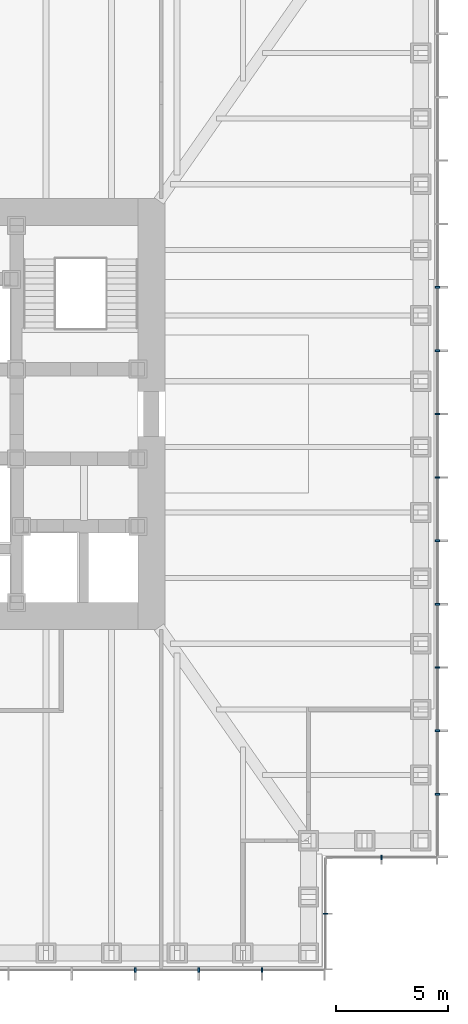
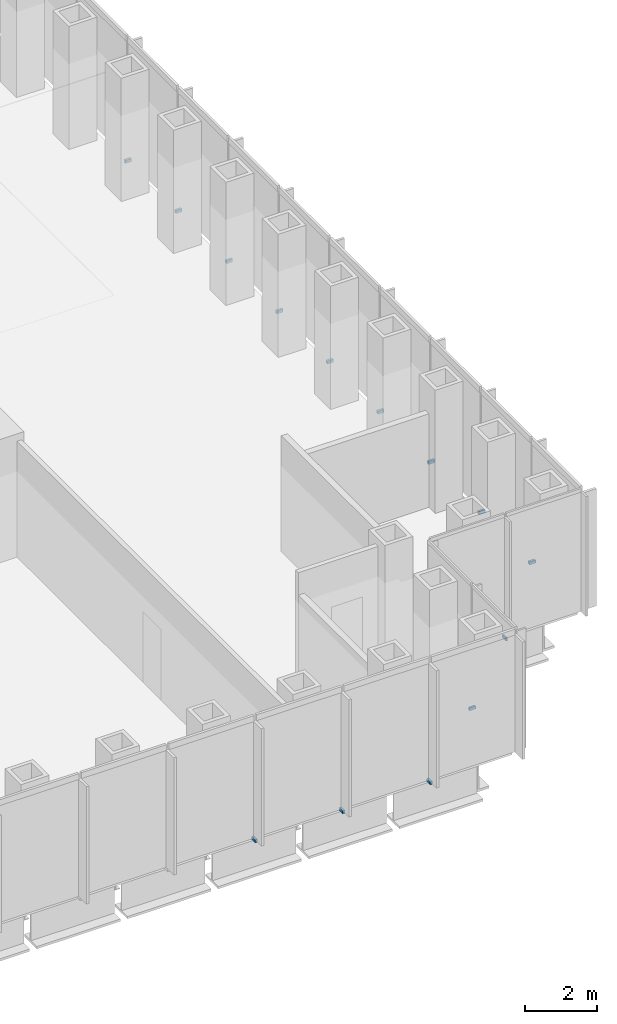
# One storey, part 14 of 17: 14 discrete accessories.
"""IFC4 building model written with IfcOpenShell, lengths in metres."""

from ifc_helpers import new_model, si_unit, direction, frame, origin, origin_2d, place, context, subcontext, project, spatial, rectangle, extrude, element, save


model = new_model("IFC4")

# Units and contexts
model_context = context("Model", 3, precision=1e-05, world=origin(), true_north=direction((0.0, 1.0)))
body_context = subcontext(model_context, "Body", "Model", "MODEL_VIEW")
ifc_project = project(units=[si_unit("LENGTHUNIT", "METRE"), si_unit("AREAUNIT", "SQUARE_METRE"), si_unit("VOLUMEUNIT", "CUBIC_METRE"), si_unit("PLANEANGLEUNIT", "RADIAN"), si_unit("MASSUNIT", "GRAM", prefix="KILO")], contexts=[model_context])

# Site, building, storey
site_placement = place(None, origin())
site = spatial("IfcSite", under=ifc_project, at=site_placement, CompositionType="ELEMENT")
building_placement = place(site_placement, origin())
building = spatial("IfcBuilding", under=site, at=building_placement, Name="Daluyong Arena Tower", CompositionType="ELEMENT")
storey_placement = place(building_placement, frame((0.0, 0.0, 97.89990234375)))
storey = spatial("IfcBuildingStorey", under=building, at=storey_placement, Name="L21", CompositionType="ELEMENT", Elevation=97.89990234375)

# Discrete accessories
for number, where, z_axis, x_axis, name in (
    (1, (67.28564453125, 55.25, -0.099853515625), (0.0, 0.0, 1.0), (1.0, 0.0, 0.0), "curtain wall L21 S anchor bracket 12"),
    (2, (70.107177734375, 55.25, -0.099853515625), (0.0, 0.0, 1.0), (1.0, 0.0, 0.0), "curtain wall L21 S anchor bracket 13"),
    (3, (72.928466796875, 55.25, -0.099853515625), (0.0, 0.0, 1.0), (1.0, 0.0, 0.0), "curtain wall L21 S anchor bracket 14"),
):
    element("IfcDiscreteAccessory", number, at=place(storey_placement, frame(where, z_axis=z_axis, x_axis=x_axis)), inside=storey, Name=name, PredefinedType="BRACKET", context=body_context, shape_type="SweptSolid", body=[
        extrude(rectangle(XDim=0.080078125, YDim=0.199951171875, at=origin_2d()), origin(), (0.0, 0.0, 1.0), 0.10009765625),
    ])
for number, where, z_axis, x_axis, name in (
    (4, (75.75, 57.75, -0.099853515625), (0.0, 0.0, 1.0), (0.0, 1.0, 0.0), "curtain wall L21 SE-E anchor bracket 2"),
    (5, (78.25, 60.25, -0.099853515625), (0.0, 0.0, 1.0), (1.0, 0.0, 0.0), "curtain wall L21 SE-S anchor bracket 2"),
):
    element("IfcDiscreteAccessory", number, at=place(storey_placement, frame(where, z_axis=z_axis, x_axis=x_axis)), inside=storey, Name=name, PredefinedType="BRACKET", context=body_context, shape_type="SweptSolid", body=[
        extrude(rectangle(XDim=0.06005859375, YDim=0.199951171875, at=origin_2d()), origin(), (0.0, 0.0, 1.0), 0.10009765625),
    ])
for number, where, z_axis, x_axis, name in (
    (6, (80.75, 63.071533203125, -0.099853515625), (0.0, 0.0, 1.0), (0.0, 1.0, 0.0), "curtain wall L21 E anchor bracket 2"),
    (7, (80.75, 65.892822265625, -0.099853515625), (0.0, 0.0, 1.0), (0.0, 1.0, 0.0), "curtain wall L21 E anchor bracket 3"),
    (8, (80.75, 68.71435546875, -0.099853515625), (0.0, 0.0, 1.0), (0.0, 1.0, 0.0), "curtain wall L21 E anchor bracket 4"),
    (9, (80.75, 71.53564453125, -0.099853515625), (0.0, 0.0, 1.0), (0.0, 1.0, 0.0), "curtain wall L21 E anchor bracket 5"),
    (10, (80.75, 74.357177734375, -0.099853515625), (0.0, 0.0, 1.0), (0.0, 1.0, 0.0), "curtain wall L21 E anchor bracket 6"),
    (11, (80.75, 77.178466796875, -0.099853515625), (0.0, 0.0, 1.0), (0.0, 1.0, 0.0), "curtain wall L21 E anchor bracket 7"),
    (12, (80.75, 80.0, -0.099853515625), (0.0, 0.0, 1.0), (0.0, 1.0, 0.0), "curtain wall L21 E anchor bracket 8"),
    (13, (80.75, 82.821533203125, -0.099853515625), (0.0, 0.0, 1.0), (0.0, 1.0, 0.0), "curtain wall L21 E anchor bracket 9"),
    (14, (80.75, 85.642822265625, -0.099853515625), (0.0, 0.0, 1.0), (0.0, 1.0, 0.0), "curtain wall L21 E anchor bracket 10"),
):
    element("IfcDiscreteAccessory", number, at=place(storey_placement, frame(where, z_axis=z_axis, x_axis=x_axis)), inside=storey, Name=name, PredefinedType="BRACKET", context=body_context, shape_type="SweptSolid", body=[
        extrude(rectangle(XDim=0.080078125, YDim=0.199951171875, at=origin_2d()), origin(), (0.0, 0.0, 1.0), 0.10009765625),
    ])

save(model, "model.ifc")
